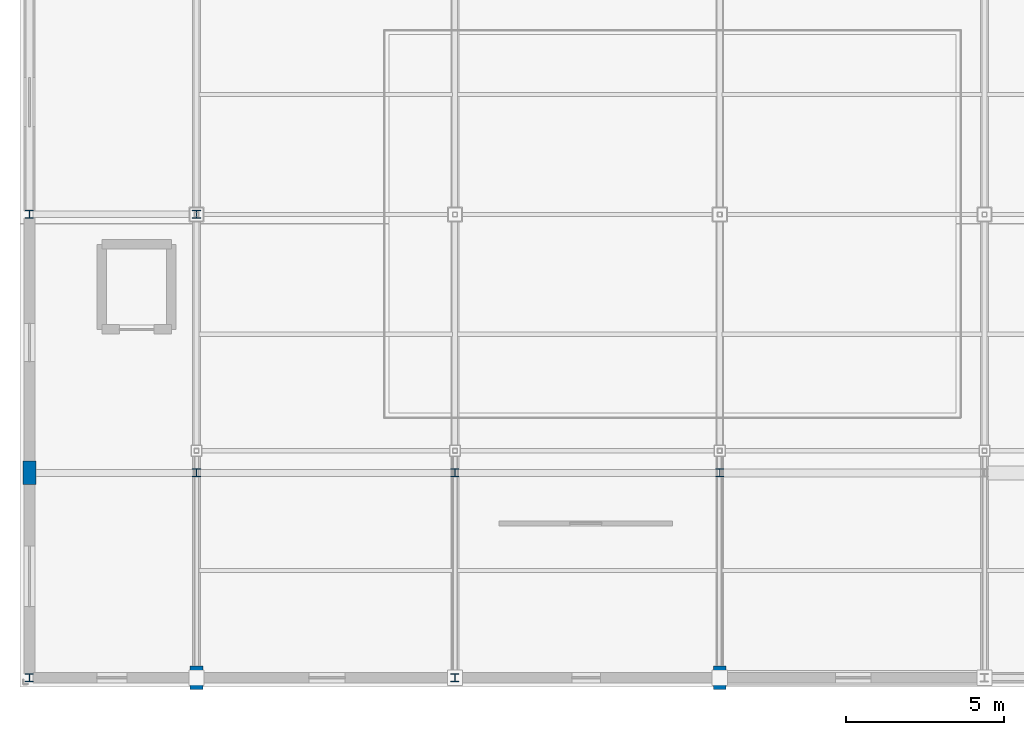
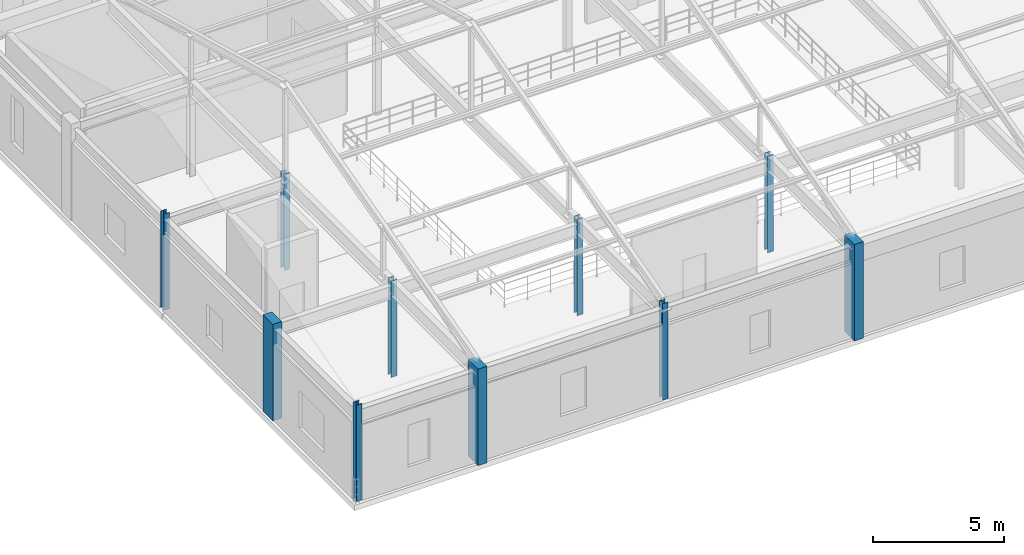
# One storey, part 1 of 112: 10 columns.
"""IFC4 building model written with IfcOpenShell, lengths in metres."""

from ifc_helpers import new_model, si_unit, direction, frame, origin, origin_2d, place, context, subcontext, project, spatial, rectangle, i_section, extrude, material, material_profile, profile_set, type_object, element, save


model = new_model("IFC4")

# Units and contexts
model_context = context("Model", 3, precision=1e-05, world=origin(), true_north=direction((0.0, 1.0)))
body_context = subcontext(model_context, "Body", "Model", "MODEL_VIEW")
ifc_project = project(units=[si_unit("LENGTHUNIT", "METRE"), si_unit("AREAUNIT", "SQUARE_METRE"), si_unit("VOLUMEUNIT", "CUBIC_METRE"), si_unit("PLANEANGLEUNIT", "RADIAN"), si_unit("MASSUNIT", "GRAM", prefix="KILO")], contexts=[model_context])

# Site, building, storey
site_placement = place(None, origin())
site = spatial("IfcSite", under=ifc_project, at=site_placement, CompositionType="ELEMENT")
building_placement = place(site_placement, origin())
building = spatial("IfcBuilding", under=site, at=building_placement, Name="Cinderbank Siding Concert Hall", CompositionType="ELEMENT")
storey_placement = place(building_placement, frame((0.0, 0.0, 10.199951171875)))
storey = spatial("IfcBuildingStorey", under=building, at=storey_placement, Name="L03", CompositionType="ELEMENT", Elevation=10.199951171875)

# Columns
ifc_material_1 = material(Name="Structural steel AS/NZS 3679.1 Grade 350 (340 MPa)", Category="steel")
ifc_material_profile_1 = material_profile(ifc_material_1, i_section(OverallWidth=0.25390625, OverallDepth=0.25390625, WebThickness=0.008544921875, FlangeThickness=0.01416015625, at=origin_2d()), Name="250UC72.9", Category="LoadBearing")
ifc_profile_set_1 = profile_set([ifc_material_profile_1], Name="Structural steel AS/NZS 3679.1 Grade 350 (340 MPa)")
column_type_1 = type_object("IfcColumnType", Name="C-UC250 250UC72.9", PredefinedType="COLUMN", material=ifc_profile_set_1)
for number, where, z_axis, x_axis, name in (
    (1, (7.10009765625, 6.10009765625, 0.0), (0.0, 0.0, 1.0), (1.0, 0.0, 0.0), "L03 Column COL-V2-1-1"),
    (2, (7.10009765625, 20.800048828125, 0.0), (0.0, 0.0, 1.0), (1.0, 0.0, 0.0), "L03 Column COL-V2-1-3"),
    (3, (12.39990234375, 12.60009765625, 0.0), (0.0, 0.0, 1.0), (1.0, 0.0, 0.0), "L03 Column COL-V2-2-2"),
    (4, (12.39990234375, 20.800048828125, 0.0), (0.0, 0.0, 1.0), (1.0, 0.0, 0.0), "L03 Column COL-V2-2-3"),
    (5, (20.60009765625, 6.10009765625, 0.0), (0.0, 0.0, 1.0), (1.0, 0.0, 0.0), "L03 Column COL-V2-3-1"),
    (6, (20.60009765625, 12.60009765625, 0.0), (0.0, 0.0, 1.0), (1.0, 0.0, 0.0), "L03 Column COL-V2-3-2"),
    (7, (29.0, 12.60009765625, 0.0), (0.0, 0.0, 1.0), (1.0, 0.0, 0.0), "L03 Column COL-V2-4-2"),
):
    element("IfcColumn", number, at=place(storey_placement, frame(where, z_axis=z_axis, x_axis=x_axis)), inside=storey, type_object=column_type_1, Name=name, PredefinedType="COLUMN", context=body_context, shape_type="SweptSolid", body=[
        extrude(i_section(OverallWidth=0.25390625, OverallDepth=0.25390625, WebThickness=0.008544921875, FlangeThickness=0.01416015625, at=origin_2d()), origin(), (0.0, 0.0, 1.0), 4.5),
    ])
ifc_material_2 = material(Name="Reinforced concrete AS 3600 N50 (50 MPa)", Category="concrete")
ifc_material_profile_2 = material_profile(ifc_material_2, rectangle(XDim=0.39990234375, YDim=0.75, at=origin_2d()), Name="RC-PIER-400x750", Category="LoadBearing")
ifc_profile_set_2 = profile_set([ifc_material_profile_2], Name="Reinforced concrete AS 3600 N50 (50 MPa)")
column_type_2 = type_object("IfcColumnType", Name="PL-RC750 RC-PIER-400x750", PredefinedType="PILASTER", material=ifc_profile_set_2)
for number, where, z_axis, x_axis, name in (
    (8, (7.10009765625, 12.60009765625, 0.0), (0.0, 0.0, 1.0), (1.0, 0.0, 0.0), "L03 Column COL-V2-1-2"),
    (9, (12.39990234375, 6.10009765625, 0.0), (0.0, 0.0, 1.0), (1.0, 0.0, 0.0), "L03 Column COL-V2-2-1"),
    (10, (29.0, 6.10009765625, 0.0), (0.0, 0.0, 1.0), (1.0, 0.0, 0.0), "L03 Column COL-V2-4-1"),
):
    element("IfcColumn", number, at=place(storey_placement, frame(where, z_axis=z_axis, x_axis=x_axis)), inside=storey, type_object=column_type_2, Name=name, PredefinedType="PILASTER", context=body_context, shape_type="SweptSolid", body=[
        extrude(rectangle(XDim=0.39990234375, YDim=0.75, at=origin_2d()), origin(), (0.0, 0.0, 1.0), 4.5),
    ])

save(model, "model.ifc")
